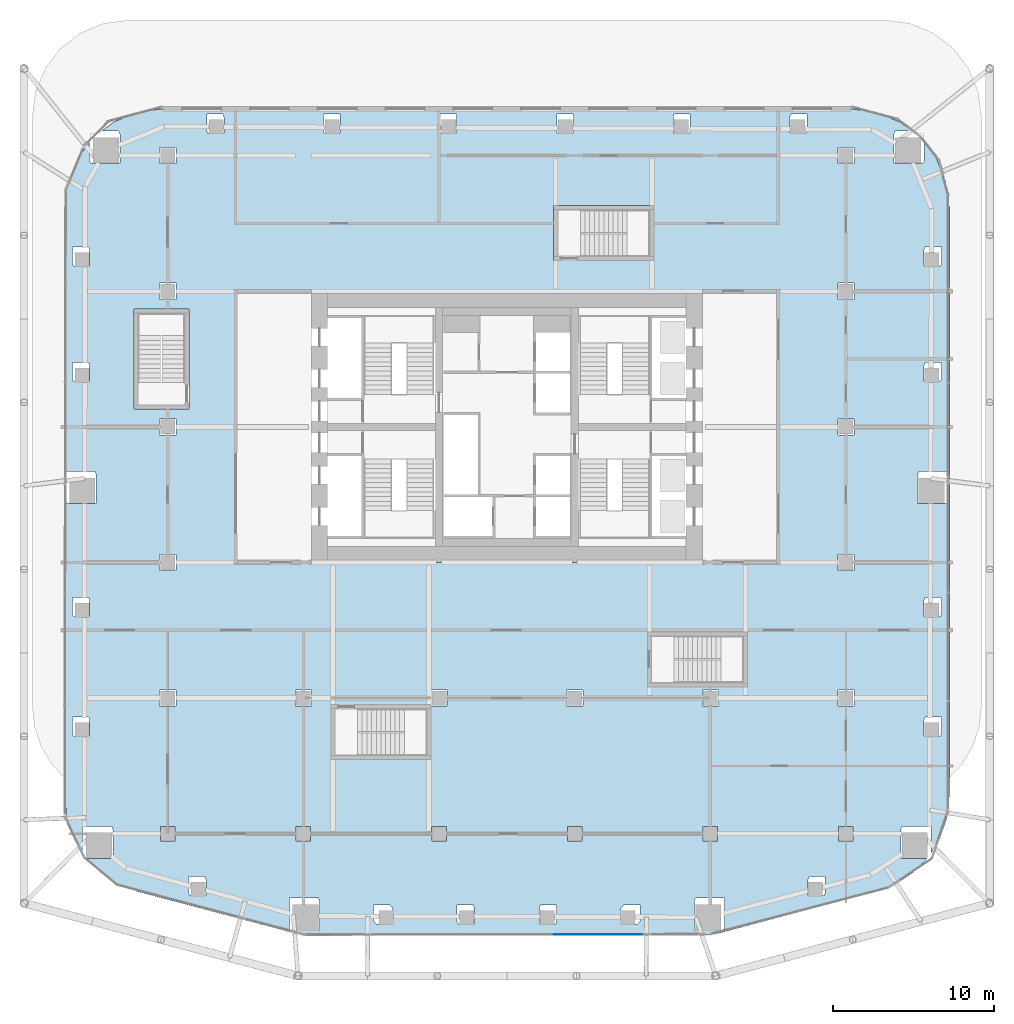
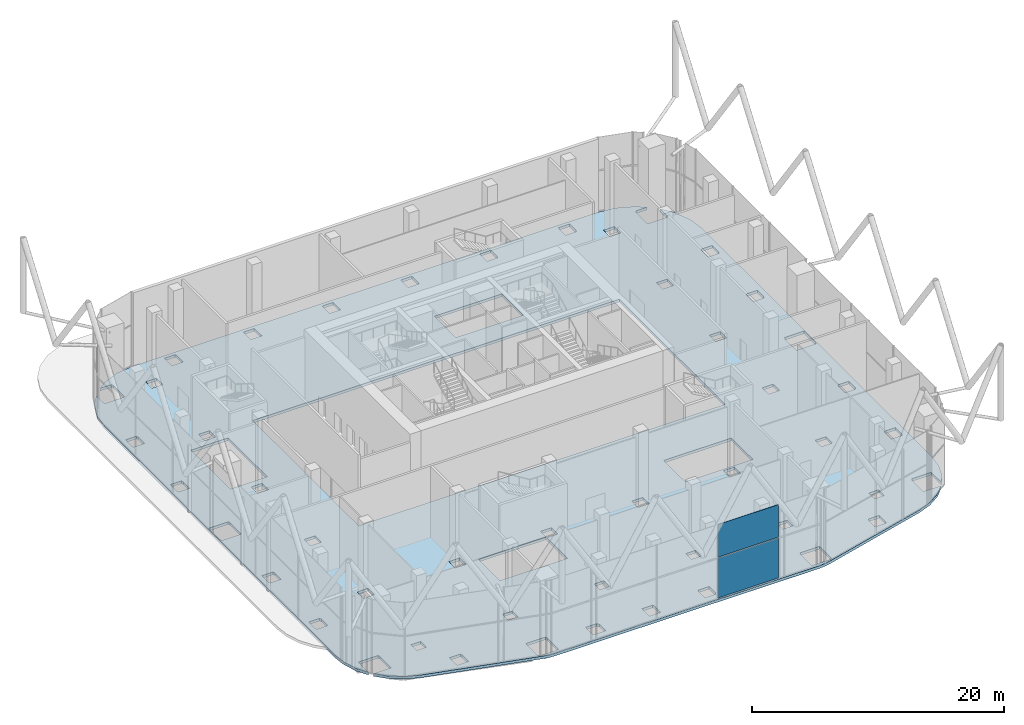
# One storey, part 19 of 34: 2 plates, 1 slab, 1 element without a shape of its own.
"""IFC4 building model written with IfcOpenShell, lengths in metres."""

from ifc_helpers import new_model, si_unit, direction, frame, origin, origin_2d, place, context, subcontext, project, spatial, polyline, rectangle, outline, extrude, material, layer, layer_set, type_object, element, aggregate, save


model = new_model("IFC4")

# Units and contexts
model_context = context("Model", 3, precision=1e-05, world=origin(), true_north=direction((0.0, 1.0)))
body_context = subcontext(model_context, "Body", "Model", "MODEL_VIEW")
ifc_project = project(units=[si_unit("LENGTHUNIT", "METRE"), si_unit("AREAUNIT", "SQUARE_METRE"), si_unit("VOLUMEUNIT", "CUBIC_METRE"), si_unit("PLANEANGLEUNIT", "RADIAN"), si_unit("MASSUNIT", "GRAM", prefix="KILO")], contexts=[model_context])

# Site, building, storey
site_placement = place(None, origin())
site = spatial("IfcSite", under=ifc_project, at=site_placement, CompositionType="ELEMENT")
building_placement = place(site_placement, origin())
building = spatial("IfcBuilding", under=site, at=building_placement, Name="Marenta Gate Hotel Tower", CompositionType="ELEMENT")
storey_placement = place(building_placement, frame((0.0, 0.0, 97.699951171875)))
storey = spatial("IfcBuildingStorey", under=building, at=storey_placement, Name="L21", CompositionType="ELEMENT", Elevation=97.699951171875)

# Slab
ifc_material_1 = material(Name="Concrete C35", Category="concrete")
ifc_layer_1 = layer(ifc_material_1, 0.260009765625)
ifc_layer_set_1 = layer_set([ifc_layer_1], Name="Concrete C35")
slab_type = type_object("IfcSlabType", Name="Concrete floor slab 260", PredefinedType="FLOOR", material=ifc_layer_set_1)
slab_placement = place(storey_placement, frame((0.0, 0.0, -0.260009765625)))
element("IfcSlab", 1, at=slab_placement, inside=storey, type_object=slab_type, Name="L21-SL-1", PredefinedType="FLOOR", context=body_context, shape_type="SweptSolid", body=[
    extrude(outline(polyline([(-25.213623046875, -19.1640625), (-26.01513671875, -18.329345703125), (-24.40185546875, -18.329345703125), (-24.40185546875, -16.529296875), (-24.471923828125, -16.342529296875), (-26.27197265625, -16.342529296875), (-26.27197265625, -17.9794921875), (-26.826904296875, -17.06689453125), (-27.25537109375, -15.80712890625), (-27.39990234375, -14.48974609375), (-27.39990234375, 22.006591796875), (-27.193115234375, 23.5791015625), (-26.58349609375, 25.050537109375), (-25.844482421875, 26.013671875), (-25.844482421875, 24.92578125), (-25.7744140625, 24.7392578125), (-23.974365234375, 24.7392578125), (-23.974365234375, 26.539306640625), (-24.04443359375, 26.725830078125), (-25.0771484375, 26.725830078125), (-24.350341796875, 27.283447265625), (-22.87890625, 27.89306640625), (-21.306640625, 28.10009765625), (21.306640625, 28.10009765625), (22.87890625, 27.89306640625), (24.350341796875, 27.283447265625), (25.0771484375, 26.725830078125), (24.04443359375, 26.725830078125), (23.974365234375, 26.539306640625), (23.974365234375, 24.7392578125), (25.7744140625, 24.7392578125), (25.844482421875, 24.92578125), (25.844482421875, 26.013671875), (26.58349609375, 25.050537109375), (27.193115234375, 23.5791015625), (27.39990234375, 22.006591796875), (27.39990234375, -14.48974609375), (27.25537109375, -15.80712890625), (26.826904296875, -17.06689453125), (26.27197265625, -17.9794921875), (26.27197265625, -16.342529296875), (24.471923828125, -16.342529296875), (24.40185546875, -16.529296875), (24.40185546875, -18.329345703125), (26.01513671875, -18.329345703125), (25.213623046875, -19.1640625), (24.105712890625, -19.9013671875), (22.86962890625, -20.37890625), (13.126708984375, -22.963623046875), (12.608642578125, -23.065673828125), (12.08154296875, -23.10009765625), (-12.08154296875, -23.10009765625), (-12.608642578125, -23.065673828125), (-13.126708984375, -22.963623046875), (-22.86962890625, -20.37890625), (-24.105712890625, -19.9013671875), (-25.213623046875, -19.1640625)]), holes=[polyline([(-16.800048828125, 0.0), (16.800048828125, 0.0), (16.800048828125, 16.800048828125), (-16.800048828125, 16.800048828125), (-16.800048828125, 0.0)]), polyline([(-18.715576171875, -19.44873046875), (-19.715576171875, -19.44873046875), (-19.715576171875, -20.44873046875), (-19.645751953125, -20.635498046875), (-18.645751953125, -20.635498046875), (-18.645751953125, -19.635498046875), (-18.715576171875, -19.44873046875)]), polyline([(-20.550048828125, -17.25), (-20.550048828125, -16.35009765625), (-21.449951171875, -16.35009765625), (-21.449951171875, -17.25), (-20.550048828125, -17.25)]), polyline([(-25.908935546875, -9.5615234375), (-26.908935546875, -9.5615234375), (-26.908935546875, -10.5615234375), (-26.8388671875, -10.748291015625), (-25.8388671875, -10.748291015625), (-25.8388671875, -9.748291015625), (-25.908935546875, -9.5615234375)]), polyline([(-20.5, -8.89990234375), (-20.5, -7.89990234375), (-21.5, -7.89990234375), (-21.5, -8.89990234375), (-20.5, -8.89990234375)]), polyline([(-12.10009765625, -8.89990234375), (-12.10009765625, -7.89990234375), (-13.10009765625, -7.89990234375), (-13.10009765625, -8.89990234375), (-12.10009765625, -8.89990234375)]), polyline([(-25.908935546875, -2.16064453125), (-26.908935546875, -2.16064453125), (-26.908935546875, -3.16064453125), (-26.8388671875, -3.34716796875), (-25.8388671875, -3.34716796875), (-25.8388671875, -2.34716796875), (-25.908935546875, -2.16064453125)]), polyline([(-20.5, -0.5), (-20.5, 0.5), (-21.5, 0.5), (-21.5, -0.5), (-20.5, -0.5)]), polyline([(-25.43896484375, 5.45361328125), (-25.5087890625, 5.640380859375), (-27.308837890625, 5.640380859375), (-27.308837890625, 3.84033203125), (-27.23876953125, 3.65380859375), (-25.43896484375, 3.65380859375), (-25.43896484375, 5.45361328125)]), polyline([(-20.5, 8.89990234375), (-21.5, 8.89990234375), (-21.5, 7.89990234375), (-20.5, 7.89990234375), (-20.5, 8.89990234375)]), polyline([(-25.8388671875, 12.206787109375), (-25.908935546875, 12.3935546875), (-26.908935546875, 12.3935546875), (-26.908935546875, 11.3935546875), (-26.8388671875, 11.206787109375), (-25.8388671875, 11.206787109375), (-25.8388671875, 12.206787109375)]), polyline([(-20.5, 16.300048828125), (-20.5, 17.300048828125), (-21.5, 17.300048828125), (-21.5, 16.300048828125), (-20.5, 16.300048828125)]), polyline([(-25.908935546875, 19.546875), (-26.908935546875, 19.546875), (-26.908935546875, 18.546875), (-26.8388671875, 18.360107421875), (-25.8388671875, 18.360107421875), (-25.8388671875, 19.360107421875), (-25.908935546875, 19.546875)]), polyline([(-20.5, 24.699951171875), (-20.5, 25.699951171875), (-21.5, 25.699951171875), (-21.5, 24.699951171875), (-20.5, 24.699951171875)]), polyline([(-17.584716796875, 27.790283203125), (-18.584716796875, 27.790283203125), (-18.584716796875, 26.790283203125), (-18.53466796875, 26.603759765625), (-17.53466796875, 26.603759765625), (-17.53466796875, 27.603759765625), (-17.584716796875, 27.790283203125)]), polyline([(-7.074951171875, -21.396240234375), (-7.24560546875, -21.209716796875), (-8.24560546875, -21.209716796875), (-8.24560546875, -22.209716796875), (-8.074951171875, -22.396240234375), (-7.074951171875, -22.396240234375), (-7.074951171875, -21.396240234375)]), polyline([(-2.02490234375, -21.396240234375), (-2.081787109375, -21.209716796875), (-3.081787109375, -21.209716796875), (-3.081787109375, -22.209716796875), (-3.02490234375, -22.396240234375), (-2.02490234375, -22.396240234375), (-2.02490234375, -21.396240234375)]), polyline([(3.081787109375, -21.209716796875), (2.081787109375, -21.209716796875), (2.02490234375, -21.396240234375), (2.02490234375, -22.396240234375), (3.02490234375, -22.396240234375), (3.081787109375, -22.209716796875), (3.081787109375, -21.209716796875)]), polyline([(8.24560546875, -22.209716796875), (8.24560546875, -21.209716796875), (7.24560546875, -21.209716796875), (7.074951171875, -21.396240234375), (7.074951171875, -22.396240234375), (8.074951171875, -22.396240234375), (8.24560546875, -22.209716796875)]), polyline([(-11.605224609375, -20.97119140625), (-11.67529296875, -20.784423828125), (-13.47509765625, -20.784423828125), (-13.47509765625, -22.58447265625), (-13.4052734375, -22.77099609375), (-11.605224609375, -22.77099609375), (-11.605224609375, -20.97119140625)]), polyline([(13.47509765625, -20.784423828125), (11.67529296875, -20.784423828125), (11.605224609375, -20.97119140625), (11.605224609375, -22.77099609375), (13.4052734375, -22.77099609375), (13.47509765625, -22.58447265625), (13.47509765625, -20.784423828125)]), polyline([(-12.14990234375, -17.25), (-12.14990234375, -16.35009765625), (-13.050048828125, -16.35009765625), (-13.050048828125, -17.25), (-12.14990234375, -17.25)]), polyline([(-3.75, -17.25), (-3.75, -16.35009765625), (-4.64990234375, -16.35009765625), (-4.64990234375, -17.25), (-3.75, -17.25)]), polyline([(4.64990234375, -16.35009765625), (3.75, -16.35009765625), (3.75, -17.25), (4.64990234375, -17.25), (4.64990234375, -16.35009765625)]), polyline([(-3.699951171875, -8.89990234375), (-3.699951171875, -7.89990234375), (-4.699951171875, -7.89990234375), (-4.699951171875, -8.800048828125), (-10.89990234375, -8.800048828125), (-10.89990234375, -12.199951171875), (-4.699951171875, -12.199951171875), (-4.699951171875, -8.89990234375), (-3.699951171875, -8.89990234375)]), polyline([(4.699951171875, -8.89990234375), (4.699951171875, -7.89990234375), (3.699951171875, -7.89990234375), (3.699951171875, -8.89990234375), (4.699951171875, -8.89990234375)]), polyline([(13.10009765625, -7.89990234375), (12.10009765625, -7.89990234375), (12.10009765625, -8.89990234375), (13.10009765625, -8.89990234375), (13.10009765625, -7.89990234375)]), polyline([(-10.32080078125, 27.603759765625), (-10.350830078125, 27.790283203125), (-11.350830078125, 27.790283203125), (-11.350830078125, 26.790283203125), (-11.32080078125, 26.603759765625), (-10.32080078125, 26.603759765625), (-10.32080078125, 27.603759765625)]), polyline([(-3.10693359375, 27.603759765625), (-3.116943359375, 27.790283203125), (-4.116943359375, 27.790283203125), (-4.116943359375, 26.790283203125), (-4.10693359375, 26.603759765625), (-3.10693359375, 26.603759765625), (-3.10693359375, 27.603759765625)]), polyline([(4.116943359375, 27.790283203125), (3.116943359375, 27.790283203125), (3.10693359375, 27.603759765625), (3.10693359375, 26.603759765625), (4.10693359375, 26.603759765625), (4.116943359375, 26.790283203125), (4.116943359375, 27.790283203125)]), polyline([(11.350830078125, 26.790283203125), (11.350830078125, 27.790283203125), (10.350830078125, 27.790283203125), (10.32080078125, 27.603759765625), (10.32080078125, 26.603759765625), (11.32080078125, 26.603759765625), (11.350830078125, 26.790283203125)]), polyline([(19.715576171875, -20.44873046875), (19.715576171875, -19.44873046875), (18.715576171875, -19.44873046875), (18.645751953125, -19.635498046875), (18.645751953125, -20.635498046875), (19.645751953125, -20.635498046875), (19.715576171875, -20.44873046875)]), polyline([(13.050048828125, -17.25), (13.050048828125, -16.35009765625), (12.14990234375, -16.35009765625), (12.14990234375, -17.25), (13.050048828125, -17.25)]), polyline([(21.449951171875, -17.25), (21.449951171875, -16.35009765625), (20.550048828125, -16.35009765625), (20.550048828125, -17.25), (21.449951171875, -17.25)]), polyline([(26.908935546875, -9.5615234375), (25.908935546875, -9.5615234375), (25.8388671875, -9.748291015625), (25.8388671875, -10.748291015625), (26.8388671875, -10.748291015625), (26.908935546875, -10.5615234375), (26.908935546875, -9.5615234375)]), polyline([(21.5, -8.89990234375), (21.5, -7.89990234375), (20.5, -7.89990234375), (20.5, -8.89990234375), (21.5, -8.89990234375)]), polyline([(26.908935546875, -3.16064453125), (26.908935546875, -2.16064453125), (25.908935546875, -2.16064453125), (25.8388671875, -2.34716796875), (25.8388671875, -3.34716796875), (26.8388671875, -3.34716796875), (26.908935546875, -3.16064453125)]), polyline([(21.5, 0.5), (20.5, 0.5), (20.5, -0.5), (21.5, -0.5), (21.5, 0.5)]), polyline([(27.308837890625, 3.84033203125), (27.308837890625, 5.640380859375), (25.5087890625, 5.640380859375), (25.43896484375, 5.45361328125), (25.43896484375, 3.65380859375), (27.23876953125, 3.65380859375), (27.308837890625, 3.84033203125)]), polyline([(21.5, 7.89990234375), (21.5, 8.89990234375), (20.5, 8.89990234375), (20.5, 7.89990234375), (21.5, 7.89990234375)]), polyline([(26.908935546875, 12.3935546875), (25.908935546875, 12.3935546875), (25.8388671875, 12.206787109375), (25.8388671875, 11.206787109375), (26.8388671875, 11.206787109375), (26.908935546875, 11.3935546875), (26.908935546875, 12.3935546875)]), polyline([(21.5, 16.300048828125), (21.5, 17.300048828125), (20.5, 17.300048828125), (20.5, 16.300048828125), (21.5, 16.300048828125)]), polyline([(26.908935546875, 18.546875), (26.908935546875, 19.546875), (25.908935546875, 19.546875), (25.8388671875, 19.360107421875), (25.8388671875, 18.360107421875), (26.8388671875, 18.360107421875), (26.908935546875, 18.546875)]), polyline([(21.5, 25.699951171875), (20.5, 25.699951171875), (20.5, 24.699951171875), (21.5, 24.699951171875), (21.5, 25.699951171875)]), polyline([(18.584716796875, 26.790283203125), (18.584716796875, 27.790283203125), (17.584716796875, 27.790283203125), (17.53466796875, 27.603759765625), (17.53466796875, 26.603759765625), (18.53466796875, 26.603759765625), (18.584716796875, 26.790283203125)]), polyline([(8.699951171875, -7.699951171875), (14.89990234375, -7.699951171875), (14.89990234375, -4.300048828125), (8.699951171875, -4.300048828125), (8.699951171875, -7.699951171875)]), polyline([(-23.10009765625, 9.5), (-19.699951171875, 9.5), (-19.699951171875, 15.699951171875), (-23.10009765625, 15.699951171875), (-23.10009765625, 9.5)]), polyline([(2.89990234375, 18.699951171875), (9.10009765625, 18.699951171875), (9.10009765625, 22.10009765625), (2.89990234375, 22.10009765625), (2.89990234375, 18.699951171875)])]), origin(), (0.0, 0.0, 1.0), 0.260009765625),
])

# Curtain wall, plates
ifc_material_2 = material(Name="Tinted insulated glass in bronze anodised frame", Category="glass")
ifc_layer_2 = layer(ifc_material_2, 0.1298828125)
ifc_layer_set_2 = layer_set([ifc_layer_2], Name="Tinted insulated glass in bronze anodised frame")
curtain_wall_type = type_object("IfcCurtainWallType", Name="Sky lobby glazing CW2", PredefinedType="NOTDEFINED", material=ifc_layer_set_2)
curtain_wall_placement = place(storey_placement, origin())
curtain_wall = element("IfcCurtainWall", 2, at=curtain_wall_placement, inside=storey, type_object=curtain_wall_type, Name="CW2 run G21", PredefinedType="NOTDEFINED")
ifc_material_3 = material(Name="Tinted insulated glass", Category="glass")
ifc_layer_3 = layer(ifc_material_3, 0.033935546875)
ifc_layer_set_3 = layer_set([ifc_layer_3], Name="Tinted insulated glass")
plate_type = type_object("IfcPlateType", Name="Glass panel CW2 34 mm tinted insulated unit", PredefinedType="CURTAIN_PANEL", material=ifc_layer_set_3)
plate_1_placement = place(storey_placement, frame((5.6279296875, -23.02783203125, 0.080078125), z_axis=(0.0, 0.0, 1.0), x_axis=(0.999999070887, 0.001363166999, 0.0)))
plate_1 = element("IfcPlate", 3, at=plate_1_placement, type_object=plate_type, Name="CW2 panel 3.1", PredefinedType="CURTAIN_PANEL", context=body_context, shape_type="SweptSolid", body=[
    extrude(rectangle(XDim=5.559814453125, YDim=0.033935546875, at=origin_2d()), origin(), (0.0, 0.0, 1.0), 3.8798828125),
])
plate_2_placement = place(storey_placement, frame((5.6279296875, -23.02783203125, 4.0400390625), z_axis=(0.0, 0.0, 1.0), x_axis=(0.999999070887, 0.001363166999, 0.0)))
plate_2 = element("IfcPlate", 4, at=plate_2_placement, type_object=plate_type, Name="CW2 panel 3.2", PredefinedType="CURTAIN_PANEL", context=body_context, shape_type="SweptSolid", body=[
    extrude(rectangle(XDim=5.559814453125, YDim=0.033935546875, at=origin_2d()), origin(), (0.0, 0.0, 1.0), 3.159912109375),
])
aggregate(curtain_wall, [plate_1, plate_2])

save(model, "model.ifc")
